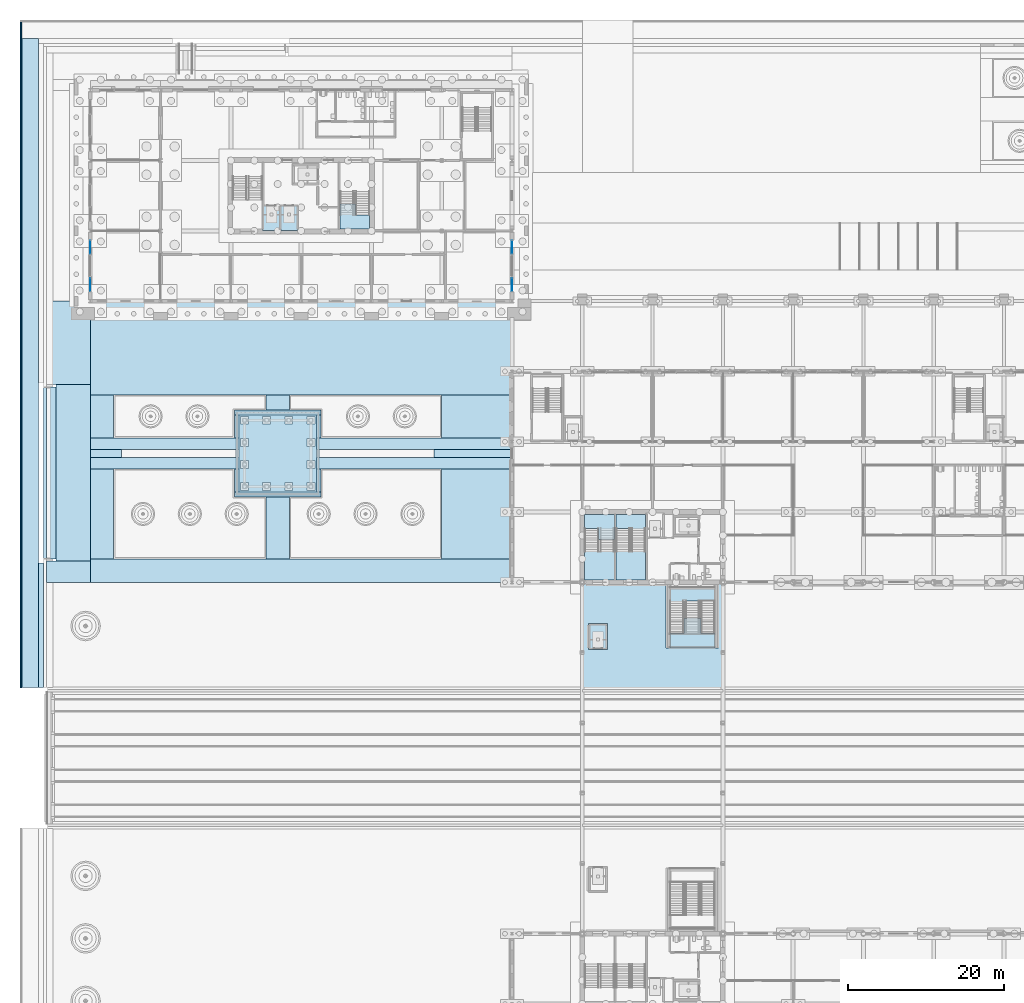
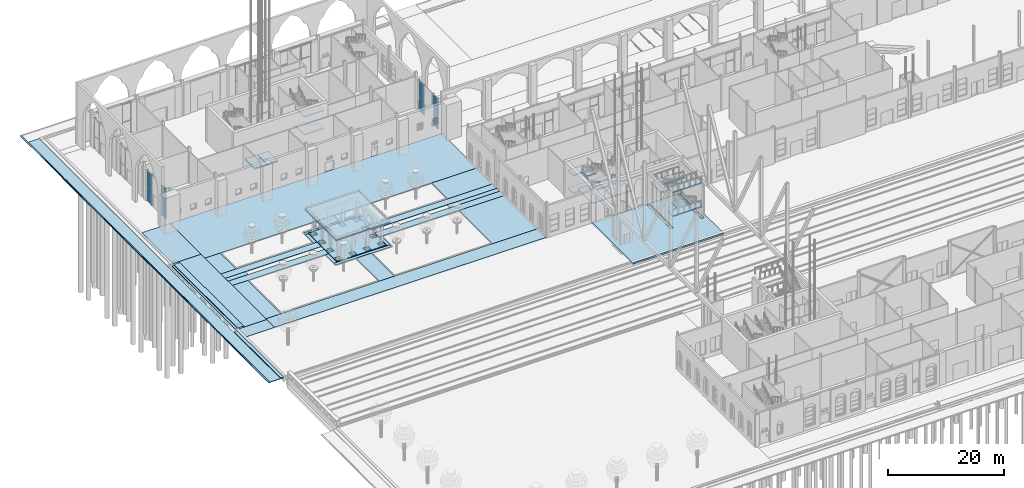
# One storey, part 76 of 250: 44 slabs, 8 plates, 8 elements without a shape of their own.
"""IFC4 building model written with IfcOpenShell, lengths in metres."""

from ifc_helpers import new_model, si_unit, direction, frame, origin, origin_2d, place, context, subcontext, project, spatial, polyline, rectangle, outline, extrude, material, layer, layer_set, type_object, element, aggregate, save


model = new_model("IFC4")

# Units and contexts
model_context = context("Model", 3, precision=1e-05, world=origin(), true_north=direction((0.0, 1.0)))
body_context = subcontext(model_context, "Body", "Model", "MODEL_VIEW")
ifc_project = project(units=[si_unit("LENGTHUNIT", "METRE"), si_unit("AREAUNIT", "SQUARE_METRE"), si_unit("VOLUMEUNIT", "CUBIC_METRE"), si_unit("PLANEANGLEUNIT", "RADIAN"), si_unit("MASSUNIT", "GRAM", prefix="KILO")], contexts=[model_context])

# Site, building, storey
site_placement = place(None, origin())
site = spatial("IfcSite", under=ifc_project, at=site_placement, CompositionType="ELEMENT")
building_placement = place(site_placement, origin())
building = spatial("IfcBuilding", under=site, at=building_placement, Name="Baradari Gate Terminus", CompositionType="ELEMENT")
storey_placement = place(building_placement, origin())
storey = spatial("IfcBuildingStorey", under=building, at=storey_placement, Name="L00", CompositionType="ELEMENT", Elevation=0.0)

# Slabs
ifc_material_1 = material(Name="Concrete C32/40", Category="concrete")
ifc_layer_1 = layer(ifc_material_1, 0.11)
ifc_material_2 = material(Name="Concrete paving flags", Category="concrete")
ifc_layer_2 = layer(ifc_material_2, 0.04)
ifc_layer_set_1 = layer_set([ifc_layer_1, ifc_layer_2], Name="Concrete C32/40")
slab_type_1 = type_object("IfcSlabType", Name="Concrete paving slab SL12 150", PredefinedType="BASESLAB", material=ifc_layer_set_1)
slab_1_placement = place(storey_placement, frame((0.0, 0.0, -0.14990234375)))
element("IfcSlab", 1, at=slab_1_placement, inside=storey, type_object=slab_type_1, Name="West court paving 1", PredefinedType="BASESLAB", context=body_context, shape_type="SweptSolid", body=[
    extrude(outline(polyline([(63.0, 81.0), (63.0, 84.0), (9.0, 84.0), (9.0, 81.0), (63.0, 81.0)])), origin(), (0.0, 0.0, 1.0), 0.14990234375),
])
slab_2_placement = place(storey_placement, frame((0.0, 0.0, -0.14990234375)))
element("IfcSlab", 2, at=slab_2_placement, inside=storey, type_object=slab_type_1, Name="West court paving 2", PredefinedType="BASESLAB", context=body_context, shape_type="SweptSolid", body=[
    extrude(outline(polyline([(34.5, 84.0), (34.5, 91.949951171875), (31.5, 91.949951171875), (31.5, 84.0), (34.5, 84.0)])), origin(), (0.0, 0.0, 1.0), 0.14990234375),
])
slab_3_placement = place(storey_placement, frame((0.0, 0.0, -0.14990234375)))
element("IfcSlab", 3, at=slab_3_placement, inside=storey, type_object=slab_type_1, Name="West court paving 3", PredefinedType="BASESLAB", context=body_context, shape_type="SweptSolid", body=[
    extrude(outline(polyline([(38.550048828125, 91.949951171875), (38.550048828125, 92.550048828125), (27.449951171875, 92.550048828125), (27.449951171875, 91.949951171875), (38.550048828125, 91.949951171875)])), origin(), (0.0, 0.0, 1.0), 0.14990234375),
])
slab_4_placement = place(storey_placement, frame((0.0, 0.0, -0.14990234375)))
element("IfcSlab", 4, at=slab_4_placement, inside=storey, type_object=slab_type_1, Name="West court paving 4", PredefinedType="BASESLAB", context=body_context, shape_type="SweptSolid", body=[
    extrude(outline(polyline([(63.0, 84.0), (63.0, 95.5), (54.0, 95.5), (54.0, 84.0), (63.0, 84.0)])), origin(), (0.0, 0.0, 1.0), 0.14990234375),
])
slab_5_placement = place(storey_placement, frame((0.0, 0.0, -0.14990234375)))
element("IfcSlab", 5, at=slab_5_placement, inside=storey, type_object=slab_type_1, Name="West court paving 5", PredefinedType="BASESLAB", context=body_context, shape_type="SweptSolid", body=[
    extrude(outline(polyline([(12.0, 84.0), (12.0, 95.5), (9.0, 95.5), (9.0, 84.0), (12.0, 84.0)])), origin(), (0.0, 0.0, 1.0), 0.14990234375),
])
slab_6_placement = place(storey_placement, frame((0.0, 0.0, -0.14990234375)))
element("IfcSlab", 6, at=slab_6_placement, inside=storey, type_object=slab_type_1, Name="West court paving 6", PredefinedType="BASESLAB", context=body_context, shape_type="SweptSolid", body=[
    extrude(outline(polyline([(38.550048828125, 92.550048828125), (38.550048828125, 95.5), (37.949951171875, 95.5), (37.949951171875, 92.550048828125), (38.550048828125, 92.550048828125)])), origin(), (0.0, 0.0, 1.0), 0.14990234375),
])
slab_7_placement = place(storey_placement, frame((0.0, 0.0, -0.14990234375)))
element("IfcSlab", 7, at=slab_7_placement, inside=storey, type_object=slab_type_1, Name="West court paving 7", PredefinedType="BASESLAB", context=body_context, shape_type="SweptSolid", body=[
    extrude(outline(polyline([(28.050048828125, 92.550048828125), (28.050048828125, 95.5), (27.449951171875, 95.5), (27.449951171875, 92.550048828125), (28.050048828125, 92.550048828125)])), origin(), (0.0, 0.0, 1.0), 0.14990234375),
])
slab_8_placement = place(storey_placement, frame((0.0, 0.0, -0.14990234375)))
element("IfcSlab", 8, at=slab_8_placement, inside=storey, type_object=slab_type_1, Name="West court paving 8", PredefinedType="BASESLAB", context=body_context, shape_type="SweptSolid", body=[
    extrude(outline(polyline([(28.050048828125, 95.5), (28.050048828125, 97.0), (9.0, 97.0), (9.0, 95.5), (28.050048828125, 95.5)])), origin(), (0.0, 0.0, 1.0), 0.14990234375),
])
slab_9_placement = place(storey_placement, frame((0.0, 0.0, -0.14990234375)))
element("IfcSlab", 9, at=slab_9_placement, inside=storey, type_object=slab_type_1, Name="West court paving 9", PredefinedType="BASESLAB", context=body_context, shape_type="SweptSolid", body=[
    extrude(outline(polyline([(63.0, 95.5), (63.0, 97.0), (37.949951171875, 97.0), (37.949951171875, 95.5), (63.0, 95.5)])), origin(), (0.0, 0.0, 1.0), 0.14990234375),
])
slab_10_placement = place(storey_placement, frame((0.0, 0.0, -0.14990234375)))
element("IfcSlab", 10, at=slab_10_placement, inside=storey, type_object=slab_type_1, Name="West court paving 10", PredefinedType="BASESLAB", context=body_context, shape_type="SweptSolid", body=[
    extrude(outline(polyline([(13.0, 97.0), (13.0, 98.0), (9.0, 98.0), (9.0, 97.0), (13.0, 97.0)])), origin(), (0.0, 0.0, 1.0), 0.14990234375),
])
slab_11_placement = place(storey_placement, frame((0.0, 0.0, -0.14990234375)))
element("IfcSlab", 11, at=slab_11_placement, inside=storey, type_object=slab_type_1, Name="West court paving 11", PredefinedType="BASESLAB", context=body_context, shape_type="SweptSolid", body=[
    extrude(outline(polyline([(63.0, 97.0), (63.0, 98.0), (53.0, 98.0), (53.0, 97.0), (63.0, 97.0)])), origin(), (0.0, 0.0, 1.0), 0.14990234375),
])
slab_12_placement = place(storey_placement, frame((0.0, 0.0, -0.14990234375)))
element("IfcSlab", 12, at=slab_12_placement, inside=storey, type_object=slab_type_1, Name="West court paving 12", PredefinedType="BASESLAB", context=body_context, shape_type="SweptSolid", body=[
    extrude(outline(polyline([(28.050048828125, 98.0), (28.050048828125, 99.5), (9.0, 99.5), (9.0, 98.0), (28.050048828125, 98.0)])), origin(), (0.0, 0.0, 1.0), 0.14990234375),
])
slab_13_placement = place(storey_placement, frame((0.0, 0.0, -0.14990234375)))
element("IfcSlab", 13, at=slab_13_placement, inside=storey, type_object=slab_type_1, Name="West court paving 13", PredefinedType="BASESLAB", context=body_context, shape_type="SweptSolid", body=[
    extrude(outline(polyline([(63.0, 98.0), (63.0, 99.5), (37.949951171875, 99.5), (37.949951171875, 98.0), (63.0, 98.0)])), origin(), (0.0, 0.0, 1.0), 0.14990234375),
])
slab_14_placement = place(storey_placement, frame((0.0, 0.0, -0.14990234375)))
element("IfcSlab", 14, at=slab_14_placement, inside=storey, type_object=slab_type_1, Name="West court paving 14", PredefinedType="BASESLAB", context=body_context, shape_type="SweptSolid", body=[
    extrude(outline(polyline([(38.550048828125, 99.5), (38.550048828125, 102.449951171875), (37.949951171875, 102.449951171875), (37.949951171875, 99.5), (38.550048828125, 99.5)])), origin(), (0.0, 0.0, 1.0), 0.14990234375),
])
slab_15_placement = place(storey_placement, frame((0.0, 0.0, -0.14990234375)))
element("IfcSlab", 15, at=slab_15_placement, inside=storey, type_object=slab_type_1, Name="West court paving 15", PredefinedType="BASESLAB", context=body_context, shape_type="SweptSolid", body=[
    extrude(outline(polyline([(28.050048828125, 99.5), (28.050048828125, 102.449951171875), (27.449951171875, 102.449951171875), (27.449951171875, 99.5), (28.050048828125, 99.5)])), origin(), (0.0, 0.0, 1.0), 0.14990234375),
])
slab_16_placement = place(storey_placement, frame((0.0, 0.0, -0.14990234375)))
element("IfcSlab", 16, at=slab_16_placement, inside=storey, type_object=slab_type_1, Name="West court paving 16", PredefinedType="BASESLAB", context=body_context, shape_type="SweptSolid", body=[
    extrude(outline(polyline([(38.550048828125, 102.449951171875), (38.550048828125, 103.050048828125), (27.449951171875, 103.050048828125), (27.449951171875, 102.449951171875), (38.550048828125, 102.449951171875)])), origin(), (0.0, 0.0, 1.0), 0.14990234375),
])
slab_17_placement = place(storey_placement, frame((0.0, 0.0, -0.14990234375)))
element("IfcSlab", 17, at=slab_17_placement, inside=storey, type_object=slab_type_1, Name="West court paving 17", PredefinedType="BASESLAB", context=body_context, shape_type="SweptSolid", body=[
    extrude(outline(polyline([(63.0, 99.5), (63.0, 105.0), (54.0, 105.0), (54.0, 99.5), (63.0, 99.5)])), origin(), (0.0, 0.0, 1.0), 0.14990234375),
])
slab_18_placement = place(storey_placement, frame((0.0, 0.0, -0.14990234375)))
element("IfcSlab", 18, at=slab_18_placement, inside=storey, type_object=slab_type_1, Name="West court paving 18", PredefinedType="BASESLAB", context=body_context, shape_type="SweptSolid", body=[
    extrude(outline(polyline([(12.0, 99.5), (12.0, 105.0), (9.0, 105.0), (9.0, 99.5), (12.0, 99.5)])), origin(), (0.0, 0.0, 1.0), 0.14990234375),
])
slab_19_placement = place(storey_placement, frame((0.0, 0.0, -0.14990234375)))
element("IfcSlab", 19, at=slab_19_placement, inside=storey, type_object=slab_type_1, Name="West court paving 19", PredefinedType="BASESLAB", context=body_context, shape_type="SweptSolid", body=[
    extrude(outline(polyline([(34.5, 103.050048828125), (34.5, 105.0), (31.5, 105.0), (31.5, 103.050048828125), (34.5, 103.050048828125)])), origin(), (0.0, 0.0, 1.0), 0.14990234375),
])
slab_20_placement = place(storey_placement, frame((0.0, 0.0, -0.14990234375)))
element("IfcSlab", 20, at=slab_20_placement, inside=storey, type_object=slab_type_1, Name="West court paving 20", PredefinedType="BASESLAB", context=body_context, shape_type="SweptSolid", body=[
    extrude(outline(polyline([(63.0, 105.0), (63.0, 117.0), (9.0, 117.0), (9.0, 105.0), (63.0, 105.0)])), origin(), (0.0, 0.0, 1.0), 0.14990234375),
])
slab_21_placement = place(storey_placement, frame((0.0, 0.0, -0.14990234375)))
element("IfcSlab", 21, at=slab_21_placement, inside=storey, type_object=slab_type_1, Name="West footway 1", PredefinedType="BASESLAB", context=body_context, shape_type="SweptSolid", body=[
    extrude(outline(polyline([(9.0, 81.0), (9.0, 83.699951171875), (3.39990234375, 83.699951171875), (3.39990234375, 81.0), (9.0, 81.0)])), origin(), (0.0, 0.0, 1.0), 0.14990234375),
])
slab_22_placement = place(storey_placement, frame((0.0, 0.0, -0.14990234375)))
element("IfcSlab", 22, at=slab_22_placement, inside=storey, type_object=slab_type_1, Name="West footway 2", PredefinedType="BASESLAB", context=body_context, shape_type="SweptSolid", body=[
    extrude(outline(polyline([(9.0, 83.699951171875), (9.0, 106.300048828125), (4.60009765625, 106.300048828125), (4.60009765625, 83.699951171875), (9.0, 83.699951171875)])), origin(), (0.0, 0.0, 1.0), 0.14990234375),
])
slab_23_placement = place(storey_placement, frame((0.0, 0.0, -0.14990234375)))
element("IfcSlab", 23, at=slab_23_placement, inside=storey, type_object=slab_type_1, Name="West footway 3", PredefinedType="BASESLAB", context=body_context, shape_type="SweptSolid", body=[
    extrude(outline(polyline([(9.0, 106.300048828125), (9.0, 117.0), (3.39990234375, 117.0), (3.39990234375, 106.300048828125), (9.0, 106.300048828125)])), origin(), (0.0, 0.0, 1.0), 0.14990234375),
])
ifc_material_3 = material(Name="Precast concrete C40/50", Category="concrete")
ifc_layer_3 = layer(ifc_material_3, 0.449951171875)
ifc_layer_set_2 = layer_set([ifc_layer_3], Name="Precast concrete C40/50")
slab_type_2 = type_object("IfcSlabType", Name="Court pavilion plinth CPP-1 450", PredefinedType="USERDEFINED", material=ifc_layer_set_2)
slab_24_placement = place(storey_placement, frame((0.0, 0.0, -0.300048828125)))
element("IfcSlab", 24, at=slab_24_placement, inside=storey, type_object=slab_type_2, Name="Court pavilion plinth", ObjectType="PAVILION PLINTH", PredefinedType="USERDEFINED", context=body_context, shape_type="SweptSolid", body=[
    extrude(outline(polyline([(28.050048828125, 92.550048828125), (37.949951171875, 92.550048828125), (37.949951171875, 102.449951171875), (28.050048828125, 102.449951171875), (28.050048828125, 92.550048828125)]), holes=[polyline([(28.25, 92.75), (29.25, 92.75), (29.25, 93.75), (28.25, 93.75), (28.25, 92.75)]), polyline([(31.083251953125, 92.75), (32.083251953125, 92.75), (32.083251953125, 93.75), (31.083251953125, 93.75), (31.083251953125, 92.75)]), polyline([(33.916748046875, 92.75), (34.916748046875, 92.75), (34.916748046875, 93.75), (33.916748046875, 93.75), (33.916748046875, 92.75)]), polyline([(36.75, 92.75), (37.75, 92.75), (37.75, 93.75), (36.75, 93.75), (36.75, 92.75)]), polyline([(36.75, 95.583251953125), (37.75, 95.583251953125), (37.75, 96.583251953125), (36.75, 96.583251953125), (36.75, 95.583251953125)]), polyline([(36.75, 98.416748046875), (37.75, 98.416748046875), (37.75, 99.416748046875), (36.75, 99.416748046875), (36.75, 98.416748046875)]), polyline([(36.75, 101.25), (37.75, 101.25), (37.75, 102.25), (36.75, 102.25), (36.75, 101.25)]), polyline([(33.916748046875, 101.25), (34.916748046875, 101.25), (34.916748046875, 102.25), (33.916748046875, 102.25), (33.916748046875, 101.25)]), polyline([(31.083251953125, 101.25), (32.083251953125, 101.25), (32.083251953125, 102.25), (31.083251953125, 102.25), (31.083251953125, 101.25)]), polyline([(28.25, 101.25), (29.25, 101.25), (29.25, 102.25), (28.25, 102.25), (28.25, 101.25)]), polyline([(28.25, 98.416748046875), (29.25, 98.416748046875), (29.25, 99.416748046875), (28.25, 99.416748046875), (28.25, 98.416748046875)]), polyline([(28.25, 95.583251953125), (29.25, 95.583251953125), (29.25, 96.583251953125), (28.25, 96.583251953125), (28.25, 95.583251953125)])]), origin(), (0.0, 0.0, 1.0), 0.449951171875),
])
ifc_material_4 = material(Name="Precast concrete C40/50", Category="concrete")
ifc_layer_4 = layer(ifc_material_4, 0.25)
ifc_layer_set_3 = layer_set([ifc_layer_4], Name="Precast concrete C40/50")
slab_type_3 = type_object("IfcSlabType", Name="Court pavilion roof slab CPS-1 250", PredefinedType="ROOF", material=ifc_layer_set_3)
slab_25_placement = place(storey_placement, frame((0.0, 0.0, 4.85009765625)))
element("IfcSlab", 25, at=slab_25_placement, inside=storey, type_object=slab_type_3, Name="Court pavilion roof slab", PredefinedType="ROOF", context=body_context, shape_type="SweptSolid", body=[
    extrude(outline(polyline([(27.60009765625, 92.10009765625), (38.39990234375, 92.10009765625), (38.39990234375, 102.89990234375), (27.60009765625, 102.89990234375), (27.60009765625, 92.10009765625)])), origin(), (0.0, 0.0, 1.0), 0.25),
])

# Curtain wall, plates
ifc_material_5 = material(Name="Aluminium 6063-T6", Category="aluminium")
curtain_wall_type = type_object("IfcCurtainWallType", Name="Curtain wall CW-12 shopfront, other height", PredefinedType="NOTDEFINED", material=ifc_material_5)
curtain_wall_1_placement = place(storey_placement, origin())
curtain_wall_1 = element("IfcCurtainWall", 26, at=curtain_wall_1_placement, inside=storey, type_object=curtain_wall_type, Name="Shopfront curtain wall CW-12 TE bay 13 L00", PredefinedType="NOTDEFINED")
ifc_material_6 = material(Name="Insulating glass unit", Category="glass")
ifc_layer_5 = layer(ifc_material_6, 0.02001953125)
ifc_layer_set_4 = layer_set([ifc_layer_5], Name="Insulating glass unit")
plate_type = type_object("IfcPlateType", Name="Curtain wall glazing unit CP-12 20", PredefinedType="CURTAIN_PANEL", material=ifc_layer_set_4)
plate_1_placement = place(storey_placement, frame((63.0, 119.10009765625, 0.06494140625), z_axis=(0.0, 0.0, 1.0), x_axis=(0.0, 1.0, 0.0)))
plate_1 = element("IfcPlate", 27, at=plate_1_placement, type_object=plate_type, Name="CW-12 panel 1.1", PredefinedType="CURTAIN_PANEL", context=body_context, shape_type="SweptSolid", body=[
    extrude(rectangle(XDim=1.669921875, YDim=0.02001953125, at=origin_2d()), origin(), (0.0, 0.0, 1.0), 2.6025390625),
])
plate_2_placement = place(storey_placement, frame((63.0, 119.10009765625, 2.732421875), z_axis=(0.0, 0.0, 1.0), x_axis=(0.0, 1.0, 0.0)))
plate_2 = element("IfcPlate", 28, at=plate_2_placement, type_object=plate_type, Name="CW-12 panel 1.2", PredefinedType="CURTAIN_PANEL", context=body_context, shape_type="SweptSolid", body=[
    extrude(rectangle(XDim=1.669921875, YDim=0.02001953125, at=origin_2d()), origin(), (0.0, 0.0, 1.0), 3.662109375),
])
aggregate(curtain_wall_1, [plate_1, plate_2])

curtain_wall_2_placement = place(storey_placement, origin())
curtain_wall_2 = element("IfcCurtainWall", 29, at=curtain_wall_2_placement, inside=storey, type_object=curtain_wall_type, Name="Shopfront curtain wall CW-12 TE bay 13 L00", PredefinedType="NOTDEFINED")
plate_3_placement = place(storey_placement, frame((63.0, 123.89990234375, 0.06494140625), z_axis=(0.0, 0.0, 1.0), x_axis=(0.0, 1.0, 0.0)))
plate_3 = element("IfcPlate", 30, at=plate_3_placement, type_object=plate_type, Name="CW-12 panel 1.1", PredefinedType="CURTAIN_PANEL", context=body_context, shape_type="SweptSolid", body=[
    extrude(rectangle(XDim=1.669921875, YDim=0.02001953125, at=origin_2d()), origin(), (0.0, 0.0, 1.0), 2.6025390625),
])
plate_4_placement = place(storey_placement, frame((63.0, 123.89990234375, 2.732421875), z_axis=(0.0, 0.0, 1.0), x_axis=(0.0, 1.0, 0.0)))
plate_4 = element("IfcPlate", 31, at=plate_4_placement, type_object=plate_type, Name="CW-12 panel 1.2", PredefinedType="CURTAIN_PANEL", context=body_context, shape_type="SweptSolid", body=[
    extrude(rectangle(XDim=1.669921875, YDim=0.02001953125, at=origin_2d()), origin(), (0.0, 0.0, 1.0), 3.662109375),
])
aggregate(curtain_wall_2, [plate_3, plate_4])

curtain_wall_3_placement = place(storey_placement, origin())
curtain_wall_3 = element("IfcCurtainWall", 32, at=curtain_wall_3_placement, inside=storey, type_object=curtain_wall_type, Name="Shopfront curtain wall CW-12 TW bay 13 L00", PredefinedType="NOTDEFINED")
plate_5_placement = place(storey_placement, frame((9.0, 119.10009765625, 0.06494140625), z_axis=(0.0, 0.0, 1.0), x_axis=(0.0, 1.0, 0.0)))
plate_5 = element("IfcPlate", 33, at=plate_5_placement, type_object=plate_type, Name="CW-12 panel 1.1", PredefinedType="CURTAIN_PANEL", context=body_context, shape_type="SweptSolid", body=[
    extrude(rectangle(XDim=1.669921875, YDim=0.02001953125, at=origin_2d()), origin(), (0.0, 0.0, 1.0), 2.6025390625),
])
plate_6_placement = place(storey_placement, frame((9.0, 119.10009765625, 2.732421875), z_axis=(0.0, 0.0, 1.0), x_axis=(0.0, 1.0, 0.0)))
plate_6 = element("IfcPlate", 34, at=plate_6_placement, type_object=plate_type, Name="CW-12 panel 1.2", PredefinedType="CURTAIN_PANEL", context=body_context, shape_type="SweptSolid", body=[
    extrude(rectangle(XDim=1.669921875, YDim=0.02001953125, at=origin_2d()), origin(), (0.0, 0.0, 1.0), 3.662109375),
])
aggregate(curtain_wall_3, [plate_5, plate_6])

curtain_wall_4_placement = place(storey_placement, origin())
curtain_wall_4 = element("IfcCurtainWall", 35, at=curtain_wall_4_placement, inside=storey, type_object=curtain_wall_type, Name="Shopfront curtain wall CW-12 TW bay 13 L00", PredefinedType="NOTDEFINED")
plate_7_placement = place(storey_placement, frame((9.0, 123.89990234375, 0.06494140625), z_axis=(0.0, 0.0, 1.0), x_axis=(0.0, 1.0, 0.0)))
plate_7 = element("IfcPlate", 36, at=plate_7_placement, type_object=plate_type, Name="CW-12 panel 1.1", PredefinedType="CURTAIN_PANEL", context=body_context, shape_type="SweptSolid", body=[
    extrude(rectangle(XDim=1.669921875, YDim=0.02001953125, at=origin_2d()), origin(), (0.0, 0.0, 1.0), 2.6025390625),
])
plate_8_placement = place(storey_placement, frame((9.0, 123.89990234375, 2.732421875), z_axis=(0.0, 0.0, 1.0), x_axis=(0.0, 1.0, 0.0)))
plate_8 = element("IfcPlate", 37, at=plate_8_placement, type_object=plate_type, Name="CW-12 panel 1.2", PredefinedType="CURTAIN_PANEL", context=body_context, shape_type="SweptSolid", body=[
    extrude(rectangle(XDim=1.669921875, YDim=0.02001953125, at=origin_2d()), origin(), (0.0, 0.0, 1.0), 3.662109375),
])
aggregate(curtain_wall_4, [plate_7, plate_8])

# Slabs
ifc_material_7 = material(Name="Concrete C32/40", Category="concrete")
ifc_layer_6 = layer(ifc_material_7, 0.260009765625)
ifc_layer_set_5 = layer_set([ifc_layer_6], Name="Concrete C32/40")
slab_type_4 = type_object("IfcSlabType", Name="Entrance landing slab SL15 260", PredefinedType="BASESLAB", material=ifc_layer_set_5)
slab_26_placement = place(storey_placement, frame((0.0, 0.0, -0.260009765625)))
element("IfcSlab", 38, at=slab_26_placement, inside=storey, type_object=slab_type_4, Name="Entrance landing West gate steps", PredefinedType="BASESLAB", context=body_context, shape_type="SweptSolid", body=[
    extrude(outline(polyline([(4.60009765625, 84.0), (4.60009765625, 106.0), (3.39990234375, 106.0), (3.39990234375, 84.0), (4.60009765625, 84.0)])), origin(), (0.0, 0.0, 1.0), 0.260009765625),
])
ifc_material_8 = material(Name="Concrete C32/40", Category="concrete")
ifc_layer_7 = layer(ifc_material_8, 0.1298828125)
ifc_layer_set_6 = layer_set([ifc_layer_7], Name="Concrete C32/40")
slab_type_5 = type_object("IfcSlabType", Name="Entrance step slab SL16 130", PredefinedType="LANDING", material=ifc_layer_set_6)
slab_27_placement = place(storey_placement, frame((0.0, 0.0, -0.260009765625)))
element("IfcSlab", 39, at=slab_27_placement, inside=storey, type_object=slab_type_5, Name="Entrance step 1 West gate", PredefinedType="LANDING", context=body_context, shape_type="SweptSolid", body=[
    extrude(outline(polyline([(3.39990234375, 84.0), (3.39990234375, 106.0), (3.001953125, 106.0), (3.001953125, 84.0), (3.39990234375, 84.0)])), origin(), (0.0, 0.0, 1.0), 0.130126953125),
])
ifc_layer_8 = layer(ifc_material_1, 0.04)
ifc_layer_9 = layer(ifc_material_2, 0.04)
ifc_layer_set_7 = layer_set([ifc_layer_8, ifc_layer_9], Name="Concrete C32/40")
slab_type_6 = type_object("IfcSlabType", Name="Footpath paving slab SL19 80", PredefinedType="BASESLAB", material=ifc_layer_set_7)
slab_28_placement = place(storey_placement, frame((0.0, 0.0, -0.340087890625)))
element("IfcSlab", 40, at=slab_28_placement, inside=storey, type_object=slab_type_6, Name="Footpath 9", PredefinedType="BASESLAB", context=body_context, shape_type="SweptSolid", body=[
    extrude(outline(polyline([(2.39990234375, 67.5), (2.39990234375, 150.60009765625), (0.199951171875, 150.60009765625), (0.199951171875, 67.5), (2.39990234375, 67.5)])), origin(), (0.0, 0.0, 1.0), 0.080078125),
])
ifc_layer_10 = layer(ifc_material_1, 0.04)
ifc_material_9 = material(Name="Granite kerb", Category="masonry")
ifc_layer_11 = layer(ifc_material_9, 0.04)
ifc_layer_set_8 = layer_set([ifc_layer_10, ifc_layer_11], Name="Concrete C32/40")
slab_type_7 = type_object("IfcSlabType", Name="Granite kerb course SL20 80", PredefinedType="BASESLAB", material=ifc_layer_set_8)
slab_29_placement = place(storey_placement, frame((0.0, 0.0, -0.340087890625)))
element("IfcSlab", 41, at=slab_29_placement, inside=storey, type_object=slab_type_7, Name="Kerb course 9", PredefinedType="BASESLAB", context=body_context, shape_type="SweptSolid", body=[
    extrude(outline(polyline([(0.199951171875, 67.5), (0.199951171875, 152.800048828125), (0.0, 152.800048828125), (0.0, 67.5), (0.199951171875, 67.5)])), origin(), (0.0, 0.0, 1.0), 0.080078125),
])
ifc_material_10 = material(Name="Concrete C32/40", Category="concrete")
ifc_layer_12 = layer(ifc_material_10, 0.300048828125)
ifc_layer_set_9 = layer_set([ifc_layer_12], Name="Concrete C32/40")
slab_type_8 = type_object("IfcSlabType", Name="Lift pit slab LP-1 300", PredefinedType="BASESLAB", material=ifc_layer_set_9)
slab_30_placement = place(storey_placement, frame((0.0, 0.0, -1.89990234375)))
element("IfcSlab", 42, at=slab_30_placement, inside=storey, type_object=slab_type_8, Name="Lift pit slab LP-1 LP2", PredefinedType="BASESLAB", context=body_context, shape_type="SweptSolid", body=[
    extrude(outline(polyline([(72.800048828125, 72.39990234375), (72.800048828125, 75.699951171875), (75.199951171875, 75.699951171875), (75.199951171875, 72.39990234375), (72.800048828125, 72.39990234375)])), origin(), (0.0, 0.0, 1.0), 0.2998046875),
])
slab_31_placement = place(storey_placement, frame((0.0, 0.0, -1.89990234375)))
element("IfcSlab", 43, at=slab_31_placement, inside=storey, type_object=slab_type_8, Name="Lift pit slab LP-1 LT1", PredefinedType="BASESLAB", context=body_context, shape_type="SweptSolid", body=[
    extrude(outline(polyline([(31.02490234375, 126.02490234375), (31.02490234375, 129.324951171875), (33.425048828125, 129.324951171875), (33.425048828125, 126.02490234375), (31.02490234375, 126.02490234375)])), origin(), (0.0, 0.0, 1.0), 0.2998046875),
])
slab_32_placement = place(storey_placement, frame((0.0, 0.0, -1.89990234375)))
element("IfcSlab", 44, at=slab_32_placement, inside=storey, type_object=slab_type_8, Name="Lift pit slab LP-1 LT2", PredefinedType="BASESLAB", context=body_context, shape_type="SweptSolid", body=[
    extrude(outline(polyline([(35.625, 129.324951171875), (35.625, 126.02490234375), (33.425048828125, 126.02490234375), (33.425048828125, 129.324951171875), (35.625, 129.324951171875)])), origin(), (0.0, 0.0, 1.0), 0.2998046875),
])
ifc_material_11 = material(Name="Concrete C35/45", Category="concrete")
ifc_layer_13 = layer(ifc_material_11, 0.35009765625)
ifc_layer_set_10 = layer_set([ifc_layer_13], Name="Concrete C35/45")
slab_type_9 = type_object("IfcSlabType", Name="Platform end slab SL8 350", PredefinedType="FLOOR", material=ifc_layer_set_10)
slab_33_placement = place(storey_placement, frame((0.0, 0.0, -0.35009765625)))
element("IfcSlab", 45, at=slab_33_placement, inside=storey, type_object=slab_type_9, Name="Platform 2 end slab", PredefinedType="FLOOR", context=body_context, shape_type="SweptSolid", body=[
    extrude(outline(polyline([(72.0, 66.949951171875), (90.0, 66.949951171875), (90.0, 81.0), (72.0, 81.0), (72.0, 66.949951171875)]), holes=[polyline([(83.35009765625, 72.60009765625), (83.35009765625, 80.699951171875), (82.75, 80.699951171875), (82.75, 72.60009765625), (83.35009765625, 72.60009765625)]), polyline([(89.449951171875, 72.60009765625), (89.449951171875, 80.699951171875), (88.85009765625, 80.699951171875), (88.85009765625, 72.60009765625), (89.449951171875, 72.60009765625)])]), origin(), (0.0, 0.0, 1.0), 0.35009765625),
])
ifc_material_12 = material(Name="Sandstone masonry", Category="masonry")
ifc_layer_14 = layer(ifc_material_12, 0.2099609375)
ifc_layer_set_11 = layer_set([ifc_layer_14], Name="Sandstone masonry")
slab_type_10 = type_object("IfcSlabType", Name="Sandstone plinth step PL-1 210", PredefinedType="BASESLAB", material=ifc_layer_set_11)
slab_34_placement = place(storey_placement, frame((0.0, 0.0, -0.340087890625)))
element("IfcSlab", 46, at=slab_34_placement, inside=storey, type_object=slab_type_10, Name="Plinth step 15", PredefinedType="BASESLAB", context=body_context, shape_type="SweptSolid", body=[
    extrude(outline(polyline([(3.0, 67.5), (3.0, 83.5), (2.39990234375, 83.5), (2.39990234375, 67.5), (3.0, 67.5)])), origin(), (0.0, 0.0, 1.0), 0.210205078125),
])

# Stair, slabs
ifc_material_13 = material(Name="Concrete C32/40", Category="concrete")
stair_type_1 = type_object("IfcStairType", Name="Exit stair ST-T2 riser 170 x 1800", PredefinedType="DOUBLE_RETURN_STAIR", material=ifc_material_13)
stair_1_placement = place(storey_placement, origin())
stair_1 = element("IfcStair", 47, at=stair_1_placement, inside=storey, type_object=stair_type_1, Name="Stair ST-T2 L00 to L01", PredefinedType="DOUBLE_RETURN_STAIR")
ifc_material_14 = material(Name="Concrete C32/40", Category="concrete")
ifc_layer_15 = layer(ifc_material_14, 0.199951171875)
ifc_layer_set_12 = layer_set([ifc_layer_15], Name="Concrete C32/40")
slab_type_11 = type_object("IfcSlabType", Name="Stair landing LS-1 200", PredefinedType="LANDING", material=ifc_layer_set_12)
slab_35_placement = place(storey_placement, frame((0.0, 0.0, 1.675048828125)))
slab_35 = element("IfcSlab", 48, at=slab_35_placement, type_object=slab_type_11, Name="ST-T2 landing 1", PredefinedType="LANDING", context=body_context, shape_type="SweptSolid", body=[
    extrude(outline(polyline([(44.77490234375, 126.22509765625), (44.77490234375, 128.044921875), (42.97509765625, 128.044921875), (42.97509765625, 129.425048828125), (42.77490234375, 129.425048828125), (40.97509765625, 129.425048828125), (40.97509765625, 126.22509765625), (44.77490234375, 126.22509765625)])), origin(), (0.0, 0.0, 1.0), 0.199951171875),
])
slab_36_placement = place(storey_placement, frame((0.0, 0.0, 5.425048828125)))
slab_36 = element("IfcSlab", 49, at=slab_36_placement, type_object=slab_type_11, Name="ST-T2 landing 3", PredefinedType="LANDING", context=body_context, shape_type="SweptSolid", body=[
    extrude(outline(polyline([(44.77490234375, 126.22509765625), (44.77490234375, 128.044921875), (42.97509765625, 128.044921875), (42.97509765625, 129.425048828125), (42.77490234375, 129.425048828125), (40.97509765625, 129.425048828125), (40.97509765625, 126.22509765625), (44.77490234375, 126.22509765625)])), origin(), (0.0, 0.0, 1.0), 0.199951171875),
])
aggregate(stair_1, [slab_35, slab_36])

ifc_material_15 = material(Name="Concrete C32/40", Category="concrete")
stair_type_2 = type_object("IfcStairType", Name="Exit stair ST-GN1 riser 170 x 1800", PredefinedType="DOUBLE_RETURN_STAIR", material=ifc_material_15)
stair_2_placement = place(storey_placement, origin())
stair_2 = element("IfcStair", 50, at=stair_2_placement, inside=storey, type_object=stair_type_2, Name="Stair ST-GN1 L00 to L01", PredefinedType="DOUBLE_RETURN_STAIR")
ifc_material_16 = material(Name="Concrete C32/40", Category="concrete")
ifc_layer_16 = layer(ifc_material_16, 0.25)
ifc_layer_set_13 = layer_set([ifc_layer_16], Name="Concrete C32/40")
slab_type_12 = type_object("IfcSlabType", Name="Stair landing LS-5 250", PredefinedType="LANDING", material=ifc_layer_set_13)
slab_37_placement = place(storey_placement, frame((0.0, 0.0, 1.625)))
slab_37 = element("IfcSlab", 51, at=slab_37_placement, type_object=slab_type_12, Name="ST-GN1 landing 1", PredefinedType="LANDING", context=body_context, shape_type="SweptSolid", body=[
    extrude(outline(polyline([(72.300048828125, 89.699951171875), (72.300048828125, 87.8798828125), (74.10009765625, 87.8798828125), (74.10009765625, 86.5), (74.300048828125, 86.5), (76.10009765625, 86.5), (76.10009765625, 89.699951171875), (72.300048828125, 89.699951171875)])), origin(), (0.0, 0.0, 1.0), 0.25),
])
slab_38_placement = place(storey_placement, frame((0.0, 0.0, 3.5)))
slab_38 = element("IfcSlab", 52, at=slab_38_placement, type_object=slab_type_12, Name="ST-GN1 landing 2", PredefinedType="LANDING", context=body_context, shape_type="SweptSolid", body=[
    extrude(outline(polyline([(72.300048828125, 81.300048828125), (72.300048828125, 86.300048828125), (74.10009765625, 86.300048828125), (74.10009765625, 84.919921875), (74.300048828125, 84.919921875), (76.10009765625, 84.919921875), (76.10009765625, 81.300048828125), (72.300048828125, 81.300048828125)])), origin(), (0.0, 0.0, 1.0), 0.25),
])
slab_39_placement = place(storey_placement, frame((0.0, 0.0, 5.375)))
slab_39 = element("IfcSlab", 53, at=slab_39_placement, type_object=slab_type_12, Name="ST-GN1 landing 3", PredefinedType="LANDING", context=body_context, shape_type="SweptSolid", body=[
    extrude(outline(polyline([(72.300048828125, 89.699951171875), (72.300048828125, 87.8798828125), (74.10009765625, 87.8798828125), (74.10009765625, 86.5), (74.300048828125, 86.5), (76.10009765625, 86.5), (76.10009765625, 89.699951171875), (72.300048828125, 89.699951171875)])), origin(), (0.0, 0.0, 1.0), 0.25),
])
aggregate(stair_2, [slab_37, slab_38, slab_39])

ifc_material_17 = material(Name="Concrete C32/40", Category="concrete")
stair_type_3 = type_object("IfcStairType", Name="Exit stair ST-GN2 riser 170 x 1800", PredefinedType="DOUBLE_RETURN_STAIR", material=ifc_material_17)
stair_3_placement = place(storey_placement, origin())
stair_3 = element("IfcStair", 54, at=stair_3_placement, inside=storey, type_object=stair_type_3, Name="Stair ST-GN2 L00 to L01", PredefinedType="DOUBLE_RETURN_STAIR")
slab_40_placement = place(storey_placement, frame((0.0, 0.0, 1.625)))
slab_40 = element("IfcSlab", 55, at=slab_40_placement, type_object=slab_type_12, Name="ST-GN2 landing 1", PredefinedType="LANDING", context=body_context, shape_type="SweptSolid", body=[
    extrude(outline(polyline([(76.300048828125, 89.699951171875), (76.300048828125, 87.8798828125), (78.10009765625, 87.8798828125), (78.10009765625, 86.5), (78.300048828125, 86.5), (80.10009765625, 86.5), (80.10009765625, 89.699951171875), (76.300048828125, 89.699951171875)])), origin(), (0.0, 0.0, 1.0), 0.25),
])
slab_41_placement = place(storey_placement, frame((0.0, 0.0, 3.5)))
slab_41 = element("IfcSlab", 56, at=slab_41_placement, type_object=slab_type_12, Name="ST-GN2 landing 2", PredefinedType="LANDING", context=body_context, shape_type="SweptSolid", body=[
    extrude(outline(polyline([(76.300048828125, 81.300048828125), (76.300048828125, 86.300048828125), (78.10009765625, 86.300048828125), (78.10009765625, 84.919921875), (78.300048828125, 84.919921875), (80.10009765625, 84.919921875), (80.10009765625, 81.300048828125), (76.300048828125, 81.300048828125)])), origin(), (0.0, 0.0, 1.0), 0.25),
])
aggregate(stair_3, [slab_40, slab_41])

ifc_material_18 = material(Name="Concrete C32/40", Category="concrete")
stair_type_4 = type_object("IfcStairType", Name="Platform stair PS-2 riser 167 x 1800", PredefinedType="DOUBLE_RETURN_STAIR", material=ifc_material_18)
stair_4_placement = place(storey_placement, origin())
stair_4 = element("IfcStair", 57, at=stair_4_placement, inside=storey, type_object=stair_type_4, Name="Stair PS-2 L00 to L01", PredefinedType="DOUBLE_RETURN_STAIR")
slab_42_placement = place(storey_placement, frame((0.0, 0.0, 2.25)))
slab_42 = element("IfcSlab", 58, at=slab_42_placement, type_object=slab_type_12, Name="PS-2 landing 1", PredefinedType="LANDING", context=body_context, shape_type="SweptSolid", body=[
    extrude(outline(polyline([(89.0, 72.60009765625), (89.0, 74.419921875), (87.199951171875, 74.419921875), (87.199951171875, 76.340087890625), (87.0, 76.340087890625), (85.199951171875, 76.340087890625), (85.0, 76.340087890625), (85.0, 74.419921875), (83.199951171875, 74.419921875), (83.199951171875, 72.60009765625), (89.0, 72.60009765625)])), origin(), (0.0, 0.0, 1.0), 0.25),
])
slab_43_placement = place(storey_placement, frame((0.0, 0.0, 4.75)))
slab_43 = element("IfcSlab", 59, at=slab_43_placement, type_object=slab_type_12, Name="PS-2 landing 2", PredefinedType="LANDING", context=body_context, shape_type="SweptSolid", body=[
    extrude(outline(polyline([(89.0, 80.39990234375), (89.0, 78.580078125), (87.199951171875, 78.580078125), (87.0, 78.580078125), (85.199951171875, 78.580078125), (85.0, 78.580078125), (85.0, 76.659912109375), (83.199951171875, 76.659912109375), (83.199951171875, 80.39990234375), (89.0, 80.39990234375)])), origin(), (0.0, 0.0, 1.0), 0.25),
])
slab_44_placement = place(storey_placement, frame((0.0, 0.0, 7.25)))
slab_44 = element("IfcSlab", 60, at=slab_44_placement, type_object=slab_type_12, Name="PS-2 landing 3", PredefinedType="LANDING", context=body_context, shape_type="SweptSolid", body=[
    extrude(outline(polyline([(89.0, 74.419921875), (83.199951171875, 74.419921875), (83.199951171875, 72.60009765625), (89.0, 72.60009765625), (89.0, 74.419921875)])), origin(), (0.0, 0.0, 1.0), 0.25),
])
aggregate(stair_4, [slab_42, slab_43, slab_44])

save(model, "model.ifc")
